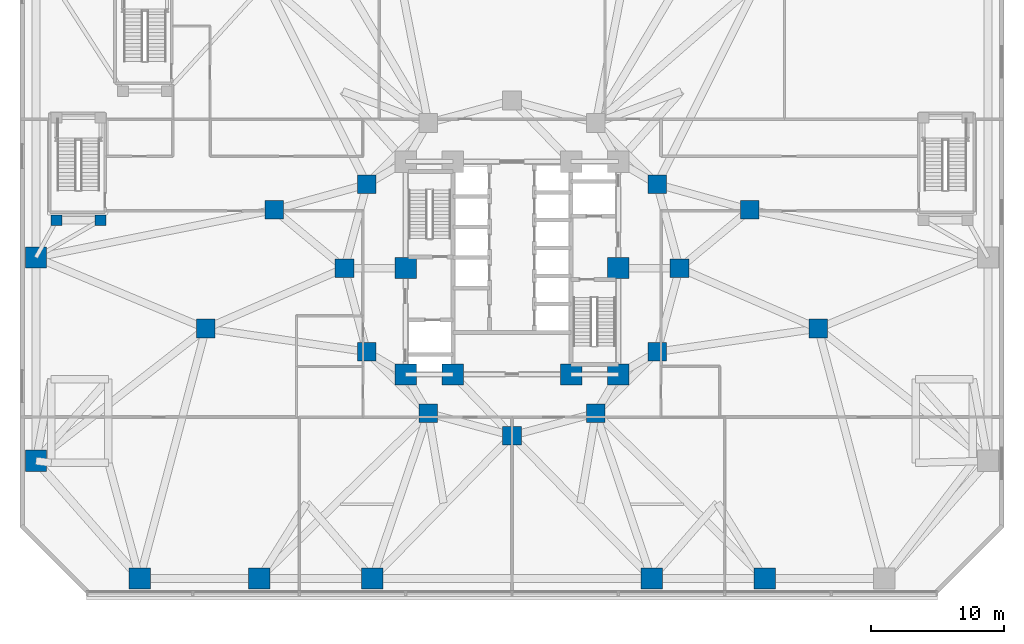
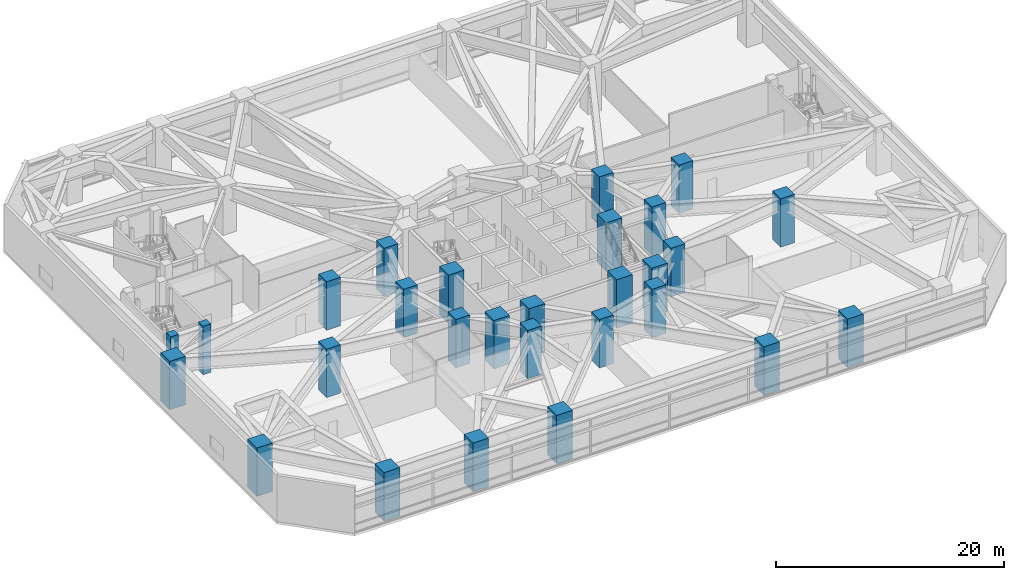
# One storey, part 1 of 27: 28 columns.
"""IFC4 building model written with IfcOpenShell, lengths in metres."""

from ifc_helpers import new_model, si_unit, direction, frame, origin, origin_2d, place, context, subcontext, project, spatial, rectangle, extrude, material, material_profile, profile_set, type_object, element, save


model = new_model("IFC4")

# Units and contexts
model_context = context("Model", 3, precision=1e-05, world=origin(), true_north=direction((0.0, 1.0)))
body_context = subcontext(model_context, "Body", "Model", "MODEL_VIEW")
ifc_project = project(units=[si_unit("LENGTHUNIT", "METRE"), si_unit("AREAUNIT", "SQUARE_METRE"), si_unit("VOLUMEUNIT", "CUBIC_METRE"), si_unit("PLANEANGLEUNIT", "RADIAN"), si_unit("MASSUNIT", "GRAM", prefix="KILO")], contexts=[model_context])

# Site, building, storey
site_placement = place(None, origin())
site = spatial("IfcSite", under=ifc_project, at=site_placement, CompositionType="ELEMENT")
building_placement = place(site_placement, origin())
building = spatial("IfcBuilding", under=site, at=building_placement, Name="Terralouvre Media Tower", CompositionType="ELEMENT")
storey_placement = place(building_placement, frame((0.0, 0.0, 20.800048828125)))
storey = spatial("IfcBuildingStorey", under=building, at=storey_placement, Name="L04", CompositionType="ELEMENT", Elevation=20.800048828125)

# Columns
ifc_material_1 = material(Name="Concrete C60/75", Category="concrete")
ifc_material_profile_1 = material_profile(ifc_material_1, rectangle(XDim=1.39990234375, YDim=1.39990234375, at=origin_2d()), Name="RC 1400x1400")
ifc_profile_set_1 = profile_set([ifc_material_profile_1], Name="Concrete C60/75")
column_type_1 = type_object("IfcColumnType", Name="Structural Column C-RC1400 (RC 1400x1400)", PredefinedType="COLUMN", material=ifc_profile_set_1)
for number, where, z_axis, x_axis, name in (
    (1, (12.60009765625, 0.0, 0.0), (0.0, 0.0, 1.0), (1.0, 0.0, 0.0), "L04 Mega-Frame Column MC01"),
    (2, (10.911865234375, 6.300048828125, 0.0), (0.0, 0.0, 1.0), (1.0, 0.0, 0.0), "L04 Mega-Frame Column MC02"),
    (3, (-10.911865234375, 6.300048828125, 0.0), (0.0, 0.0, 1.0), (1.0, 0.0, 0.0), "L04 Mega-Frame Column MC06"),
    (4, (-12.60009765625, 0.0, 0.0), (0.0, 0.0, 1.0), (1.0, 0.0, 0.0), "L04 Mega-Frame Column MC07"),
    (5, (-10.911865234375, -6.300048828125, 0.0), (0.0, 0.0, 1.0), (1.0, 0.0, 0.0), "L04 Mega-Frame Column MC08"),
    (6, (-6.300048828125, -10.911865234375, 0.0), (0.0, 0.0, 1.0), (1.0, 0.0, 0.0), "L04 Mega-Frame Column MC09"),
    (7, (0.0, -12.60009765625, 0.0), (0.0, 0.0, 1.0), (1.0, 0.0, 0.0), "L04 Mega-Frame Column MC10"),
    (8, (6.300048828125, -10.911865234375, 0.0), (0.0, 0.0, 1.0), (1.0, 0.0, 0.0), "L04 Mega-Frame Column MC11"),
    (9, (10.911865234375, -6.300048828125, 0.0), (0.0, 0.0, 1.0), (1.0, 0.0, 0.0), "L04 Mega-Frame Column MC12"),
    (10, (23.02490234375, -4.546630859375, 0.0), (0.0, 0.0, 1.0), (1.0, 0.0, 0.0), "L04 Podium Transfer Column PM21"),
    (11, (17.874755859375, 4.373291015625, 0.0), (0.0, 0.0, 1.0), (1.0, 0.0, 0.0), "L04 Podium Transfer Column PM22"),
    (12, (-17.874755859375, 4.373291015625, 0.0), (0.0, 0.0, 1.0), (1.0, 0.0, 0.0), "L04 Podium Transfer Column PM23"),
    (13, (-23.02490234375, -4.546630859375, 0.0), (0.0, 0.0, 1.0), (1.0, 0.0, 0.0), "L04 Podium Transfer Column PM24"),
):
    element("IfcColumn", number, at=place(storey_placement, frame(where, z_axis=z_axis, x_axis=x_axis)), inside=storey, type_object=column_type_1, Name=name, PredefinedType="COLUMN", context=body_context, shape_type="SweptSolid", body=[
        extrude(rectangle(XDim=1.39990234375, YDim=1.39990234375, at=origin_2d()), origin(), (0.0, 0.0, 1.0), 5.199951171875),
    ])
ifc_material_2 = material(Name="Concrete C60/75", Category="concrete")
ifc_material_profile_2 = material_profile(ifc_material_2, rectangle(XDim=1.60009765625, YDim=1.60009765625, at=origin_2d()), Name="RC 1600x1600")
ifc_profile_set_2 = profile_set([ifc_material_profile_2], Name="Concrete C60/75")
column_type_2 = type_object("IfcColumnType", Name="Structural Column C-RC1600 (RC 1600x1600)", PredefinedType="COLUMN", material=ifc_profile_set_2)
for number, where, z_axis, x_axis, name in (
    (14, (-8.0, -8.0, 0.0), (0.0, 0.0, 1.0), (1.0, 0.0, 0.0), "L04 Core Pilaster Column CP1"),
    (15, (-4.449951171875, -8.0, 0.0), (0.0, 0.0, 1.0), (1.0, 0.0, 0.0), "L04 Core Pilaster Column CP2"),
    (16, (4.449951171875, -8.0, 0.0), (0.0, 0.0, 1.0), (1.0, 0.0, 0.0), "L04 Core Pilaster Column CP10"),
    (17, (8.0, -8.0, 0.0), (0.0, 0.0, 1.0), (1.0, 0.0, 0.0), "L04 Core Pilaster Column CP3"),
    (18, (8.0, 0.0, 0.0), (0.0, 0.0, 1.0), (1.0, 0.0, 0.0), "L04 Core Pilaster Column CP4"),
    (19, (-8.0, 0.0, 0.0), (0.0, 0.0, 1.0), (1.0, 0.0, 0.0), "L04 Core Pilaster Column CP8"),
    (20, (-28.0, -23.35009765625, 0.0), (0.0, 0.0, 1.0), (1.0, 0.0, 0.0), "L04 Perimeter Mega-Column PM01"),
    (21, (-19.0, -23.35009765625, 0.0), (0.0, 0.0, 1.0), (1.0, 0.0, 0.0), "L04 Perimeter Mega-Column PM02"),
    (22, (-10.5, -23.35009765625, 0.0), (0.0, 0.0, 1.0), (1.0, 0.0, 0.0), "L04 Perimeter Mega-Column PM03"),
    (23, (10.5, -23.35009765625, 0.0), (0.0, 0.0, 1.0), (1.0, 0.0, 0.0), "L04 Perimeter Mega-Column PM04"),
    (24, (19.0, -23.35009765625, 0.0), (0.0, 0.0, 1.0), (1.0, 0.0, 0.0), "L04 Perimeter Mega-Column PM05"),
    (25, (-35.800048828125, 0.800048828125, 0.0), (0.0, 0.0, 1.0), (1.0, 0.0, 0.0), "L04 Perimeter Mega-Column PM17"),
    (26, (-35.800048828125, -14.5, 0.0), (0.0, 0.0, 1.0), (1.0, 0.0, 0.0), "L04 Perimeter Mega-Column PM18"),
):
    element("IfcColumn", number, at=place(storey_placement, frame(where, z_axis=z_axis, x_axis=x_axis)), inside=storey, type_object=column_type_2, Name=name, PredefinedType="COLUMN", context=body_context, shape_type="SweptSolid", body=[
        extrude(rectangle(XDim=1.60009765625, YDim=1.60009765625, at=origin_2d()), origin(), (0.0, 0.0, 1.0), 5.199951171875),
    ])
ifc_material_3 = material(Name="Concrete C50/60", Category="concrete")
ifc_material_profile_3 = material_profile(ifc_material_3, rectangle(XDim=0.800048828125, YDim=0.800048828125, at=origin_2d()), Name="RC 800x800")
ifc_profile_set_3 = profile_set([ifc_material_profile_3], Name="Concrete C50/60")
column_type_3 = type_object("IfcColumnType", Name="Structural Column C-RC800 (RC 800x800)", PredefinedType="COLUMN", material=ifc_profile_set_3)
for number, where, z_axis, x_axis, name in (
    (27, (-34.25, 3.60009765625, 0.0), (0.0, 0.0, 1.0), (1.0, 0.0, 0.0), "L04 Stair Pavilion Support Column ST3C1"),
    (28, (-30.949951171875, 3.60009765625, 0.0), (0.0, 0.0, 1.0), (1.0, 0.0, 0.0), "L04 Stair Pavilion Support Column ST3C2"),
):
    element("IfcColumn", number, at=place(storey_placement, frame(where, z_axis=z_axis, x_axis=x_axis)), inside=storey, type_object=column_type_3, Name=name, PredefinedType="COLUMN", context=body_context, shape_type="SweptSolid", body=[
        extrude(rectangle(XDim=0.800048828125, YDim=0.800048828125, at=origin_2d()), origin(), (0.0, 0.0, 1.0), 5.199951171875),
    ])

save(model, "model.ifc")
